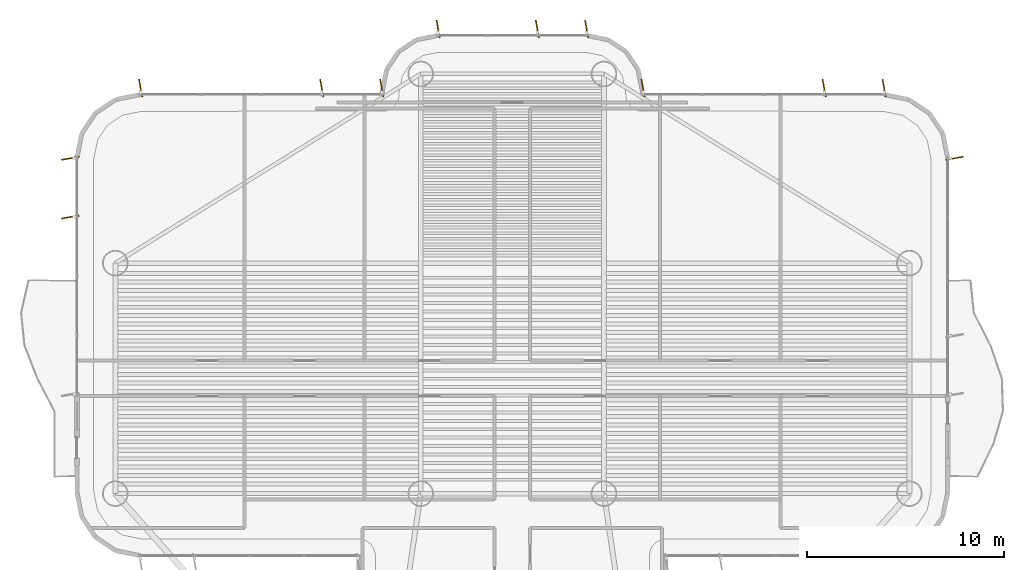
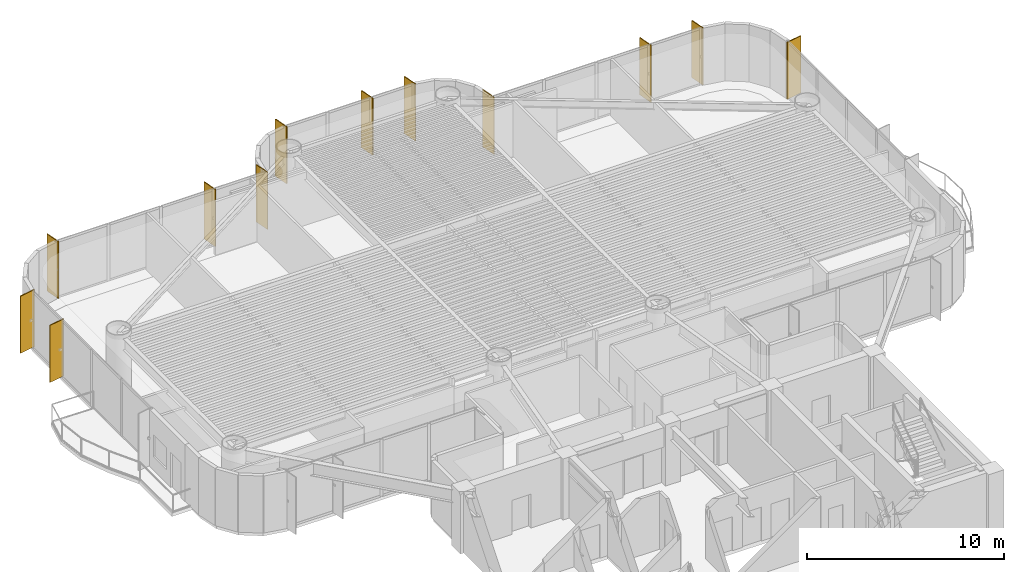
# One storey, part 16 of 16: 12 shading devices.
"""IFC4 building model written with IfcOpenShell, lengths in metres."""

from ifc_helpers import new_model, si_unit, direction, frame, origin, origin_2d, place, context, subcontext, project, spatial, rectangle, extrude, source, transform, mapped, material, material_profile, profile_set, type_object, element, save


model = new_model("IFC4")

# Units and contexts
model_context = context("Model", 3, precision=1e-05, world=origin(), true_north=direction((0.0, 1.0)))
body_context = subcontext(model_context, "Body", "Model", "MODEL_VIEW")
ifc_project = project(units=[si_unit("LENGTHUNIT", "METRE"), si_unit("AREAUNIT", "SQUARE_METRE"), si_unit("VOLUMEUNIT", "CUBIC_METRE"), si_unit("PLANEANGLEUNIT", "RADIAN"), si_unit("MASSUNIT", "GRAM", prefix="KILO")], contexts=[model_context])

# Site, building, storey
site_placement = place(None, origin())
site = spatial("IfcSite", under=ifc_project, at=site_placement, CompositionType="ELEMENT")
building_placement = place(site_placement, origin())
building = spatial("IfcBuilding", under=site, at=building_placement, Name="Brelvock Crest Care Tower", CompositionType="ELEMENT")
storey_placement = place(building_placement, frame((0.0, 0.0, 116.280029296875)))
storey = spatial("IfcBuildingStorey", under=building, at=storey_placement, Name="L29", CompositionType="ELEMENT", Elevation=116.280029296875)

# Shading devices
ifc_material = material(Name="Aluminium 6063-T6", Category="aluminium")
ifc_material_profile = material_profile(ifc_material, rectangle(XDim=0.054931640625, YDim=0.89990234375, at=origin_2d()), Name="FIN55x900")
ifc_profile_set = profile_set([ifc_material_profile], Name="Aluminium 6063-T6")
shading_device_type = type_object("IfcShadingDeviceType", Name="SHD-FIN1", PredefinedType="USERDEFINED", material=ifc_profile_set)
shared_shape = source(origin(), body_context, "Body", "SweptSolid", [
    extrude(rectangle(XDim=0.054931640625, YDim=0.89990234375, at=origin_2d()), origin(), (0.0, 0.0, 1.0), 3.530029296875),
])
for number, where, z_axis, x_axis, name in (
    (1, (13.56005859375, 41.1875, 0.0), (0.0, 0.0, 1.0), (-0.173648177667, 0.984807753012, 0.0), "L29 Vertical Sunshade Fin E17B-04"),
    (2, (13.56005859375, 44.169921875, 0.0), (0.0, 0.0, 1.0), (-0.173648177667, 0.984807753012, 0.0), "L29 Vertical Sunshade Fin E17B-05"),
    (3, (17.1298828125, 47.739990234375, 0.0), (0.0, 0.0, 1.0), (0.984807753012, 0.173648177667, 0.0), "L29 Vertical Sunshade Fin E22-01"),
    (4, (26.324951171875, 47.739990234375, 0.0), (0.0, 0.0, 1.0), (0.984807753012, 0.173648177667, 0.0), "L29 Vertical Sunshade Fin E22-04"),
    (5, (29.3701171875, 47.739990234375, 0.0), (0.0, 0.0, 1.0), (0.984807753012, 0.173648177667, 0.0), "L29 Vertical Sunshade Fin E22-05"),
    (6, (32.22998046875, 50.739990234375, 0.0), (0.0, 0.0, 1.0), (0.984807753012, 0.173648177667, 0.0), "L29 Vertical Sunshade Fin E28-01"),
    (7, (37.2666015625, 50.739990234375, 0.0), (0.0, 0.0, 1.0), (0.984807753012, 0.173648177667, 0.0), "L29 Vertical Sunshade Fin E28-03"),
    (8, (39.77001953125, 50.739990234375, 0.0), (0.0, 0.0, 1.0), (0.984807753012, 0.173648177667, 0.0), "L29 Vertical Sunshade Fin E28-04"),
    (9, (42.6298828125, 47.739990234375, 0.0), (0.0, 0.0, 1.0), (0.984807753012, 0.173648177667, 0.0), "L29 Vertical Sunshade Fin E34-01"),
    (10, (51.824951171875, 47.739990234375, 0.0), (0.0, 0.0, 1.0), (0.984807753012, 0.173648177667, 0.0), "L29 Vertical Sunshade Fin E34-04"),
    (11, (54.8701171875, 47.739990234375, 0.0), (0.0, 0.0, 1.0), (0.984807753012, 0.173648177667, 0.0), "L29 Vertical Sunshade Fin E34-05"),
    (12, (58.43994140625, 44.169921875, 0.0), (0.0, 0.0, 1.0), (0.173648177667, -0.984807753012, 0.0), "L29 Vertical Sunshade Fin E39A-01"),
):
    element("IfcShadingDevice", number, at=place(storey_placement, frame(where, z_axis=z_axis, x_axis=x_axis)), inside=storey, type_object=shading_device_type, Name=name, ObjectType="FIN", PredefinedType="USERDEFINED", context=body_context, shape_type="MappedRepresentation", body=[
        mapped(shared_shape, transform((0.0, 0.0, 0.0), x_axis=(1.0, 0.0, 0.0), y_axis=(0.0, 1.0, 0.0), z_axis=(0.0, 0.0, 1.0), scale=1.0)),
    ])

save(model, "model.ifc")
